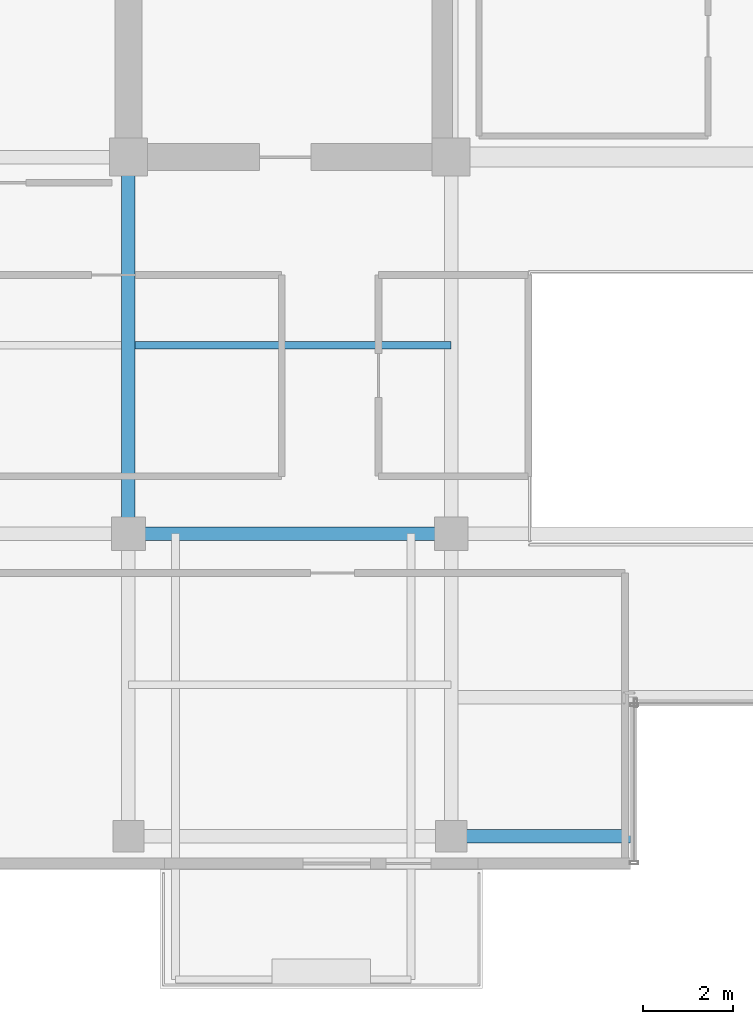
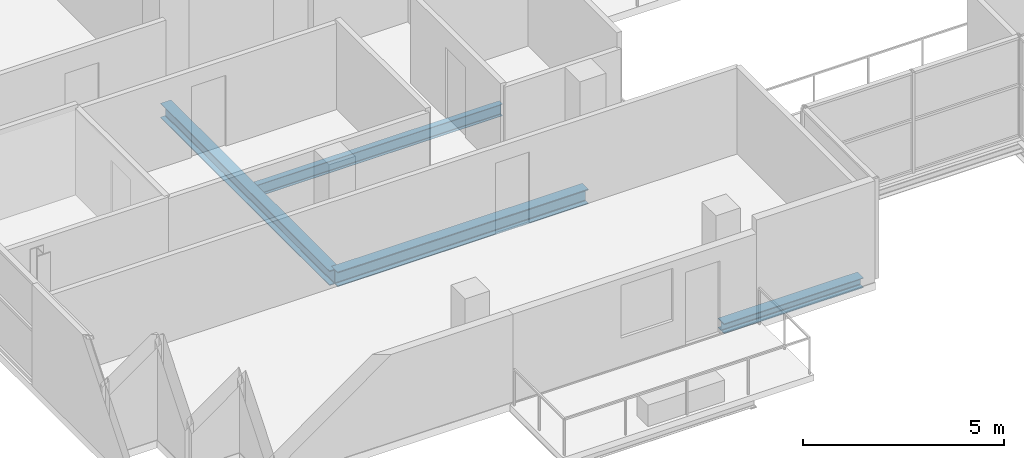
# One storey, part 5 of 23: 4 beams.
"""IFC4 building model written with IfcOpenShell, lengths in metres."""

from ifc_helpers import new_model, si_unit, direction, frame, origin, origin_2d, place, context, subcontext, project, spatial, i_section, extrude, material, material_profile, profile_set, type_object, element, save


model = new_model("IFC4")

# Units and contexts
model_context = context("Model", 3, precision=1e-05, world=origin(), true_north=direction((0.0, 1.0)))
body_context = subcontext(model_context, "Body", "Model", "MODEL_VIEW")
ifc_project = project(units=[si_unit("LENGTHUNIT", "METRE"), si_unit("AREAUNIT", "SQUARE_METRE"), si_unit("VOLUMEUNIT", "CUBIC_METRE"), si_unit("PLANEANGLEUNIT", "RADIAN"), si_unit("MASSUNIT", "GRAM", prefix="KILO")], contexts=[model_context])

# Site, building, storey
site_placement = place(None, origin())
site = spatial("IfcSite", under=ifc_project, at=site_placement, CompositionType="ELEMENT")
building_placement = place(site_placement, origin())
building = spatial("IfcBuilding", under=site, at=building_placement, Name="Zarnakvel Exchange Tower", CompositionType="ELEMENT")
storey_placement = place(building_placement, frame((0.0, 0.0, 212.199951171875)))
storey = spatial("IfcBuildingStorey", under=building, at=storey_placement, Name="L59", CompositionType="ELEMENT", Elevation=212.199951171875)

# Beams
ifc_material = material(Name="Steel S355", Category="steel")
ifc_material_profile_1 = material_profile(ifc_material, i_section(OverallWidth=0.169921875, OverallDepth=0.360107421875, WebThickness=0.008056640625, FlangeThickness=0.0126953125, FilletRadius=0.01806640625, at=origin_2d()))
ifc_profile_set_1 = profile_set([ifc_material_profile_1], Name="Steel S355")
beam_type_1 = type_object("IfcBeamType", Name="B-07", PredefinedType="JOIST", material=ifc_profile_set_1)
beam_1_placement = place(storey_placement, frame((-14.25, -5.39990234375, -0.405029296875), z_axis=(1.0, 0.0, 0.0), x_axis=(0.0, 1.0, 0.0)))
element("IfcBeam", 1, at=beam_1_placement, inside=storey, type_object=beam_type_1, Name="L59 Composite Floor Secondary Joist", PredefinedType="JOIST", context=body_context, shape_type="SweptSolid", body=[
    extrude(i_section(OverallWidth=0.169921875, OverallDepth=0.360107421875, WebThickness=0.008056640625, FlangeThickness=0.0126953125, FilletRadius=0.01806640625, at=origin_2d()), origin(), (0.0, 0.0, 1.0), 7.050048828125),
])
ifc_material_profile_2 = material_profile(ifc_material, i_section(OverallWidth=0.300048828125, OverallDepth=0.449951171875, WebThickness=0.013916015625, FlangeThickness=0.02587890625, FilletRadius=0.027099609375, at=origin_2d()))
ifc_profile_set_2 = profile_set([ifc_material_profile_2], Name="Steel S355")
beam_type_2 = type_object("IfcBeamType", Name="G-07", PredefinedType="BEAM", material=ifc_profile_set_2)
beam_2_placement = place(storey_placement, frame((-14.39990234375, -9.60009765625, -0.449951171875), z_axis=(1.0, 0.0, 0.0), x_axis=(0.0, 1.0, 0.0)))
element("IfcBeam", 2, at=beam_2_placement, inside=storey, type_object=beam_type_2, Name="L59 Tower E-W Frame Beam", PredefinedType="BEAM", context=body_context, shape_type="SweptSolid", body=[
    extrude(i_section(OverallWidth=0.300048828125, OverallDepth=0.449951171875, WebThickness=0.013916015625, FlangeThickness=0.02587890625, FilletRadius=0.027099609375, at=origin_2d()), origin(), (0.0, 0.0, 1.0), 7.199951171875),
])
beam_3_placement = place(storey_placement, frame((-14.39990234375, -9.60009765625, -0.449951171875), z_axis=(0.0, 1.0, 0.0), x_axis=(-1.0, 0.0, 0.0)))
element("IfcBeam", 3, at=beam_3_placement, inside=storey, type_object=beam_type_2, Name="L59 Tower N-S Frame Beam", PredefinedType="BEAM", context=body_context, shape_type="SweptSolid", body=[
    extrude(i_section(OverallWidth=0.300048828125, OverallDepth=0.449951171875, WebThickness=0.013916015625, FlangeThickness=0.02587890625, FilletRadius=0.027099609375, at=origin_2d()), origin(), (0.0, 0.0, 1.0), 8.400146484375),
])
ifc_material_profile_3 = material_profile(ifc_material, i_section(OverallWidth=0.300048828125, OverallDepth=0.300048828125, WebThickness=0.010986328125, FlangeThickness=0.01904296875, FilletRadius=0.027099609375, at=origin_2d()))
ifc_profile_set_3 = profile_set([ifc_material_profile_3], Name="Steel S355")
beam_type_3 = type_object("IfcBeamType", Name="SP-03", PredefinedType="SPANDREL", material=ifc_profile_set_3)
beam_4_placement = place(storey_placement, frame((-7.199951171875, -16.35009765625, -0.375), z_axis=(1.0, 0.0, 0.0), x_axis=(0.0, 1.0, 0.0)))
element("IfcBeam", 4, at=beam_4_placement, inside=storey, type_object=beam_type_3, Name="L59 South Slot West Jamb Spandrel", PredefinedType="SPANDREL", context=body_context, shape_type="SweptSolid", body=[
    extrude(i_section(OverallWidth=0.300048828125, OverallDepth=0.300048828125, WebThickness=0.010986328125, FlangeThickness=0.01904296875, FilletRadius=0.027099609375, at=origin_2d()), origin(), (0.0, 0.0, 1.0), 4.0),
])

save(model, "model.ifc")
